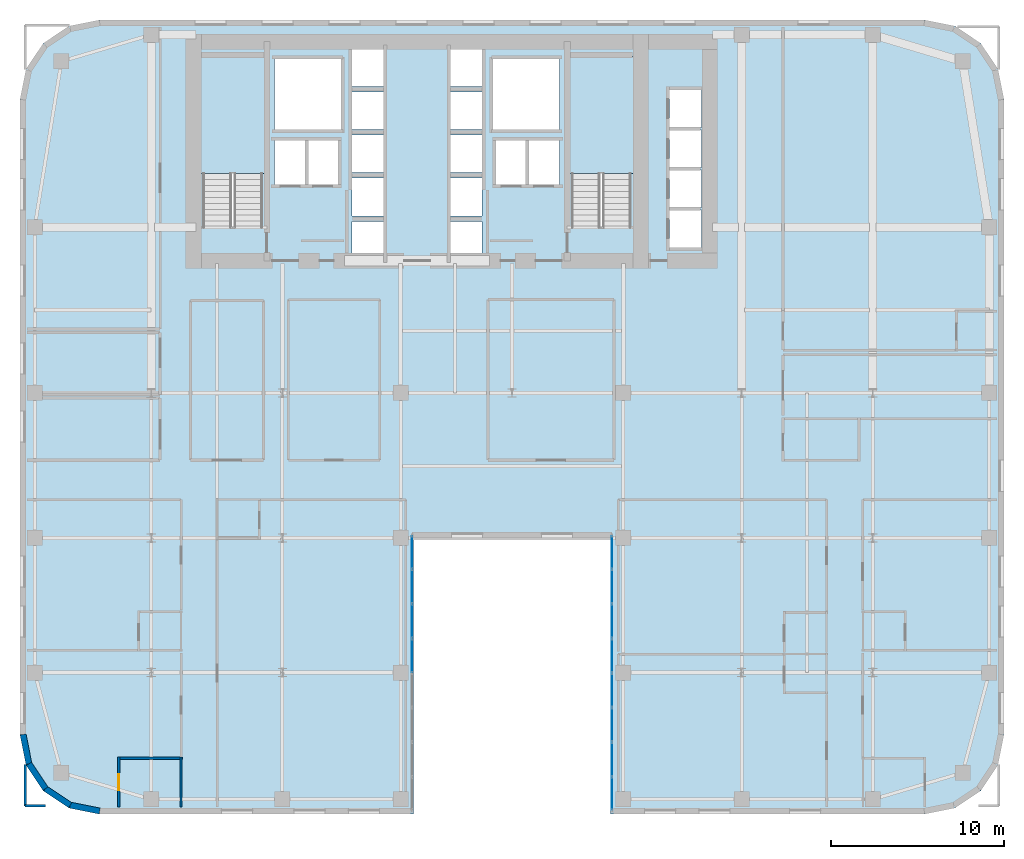
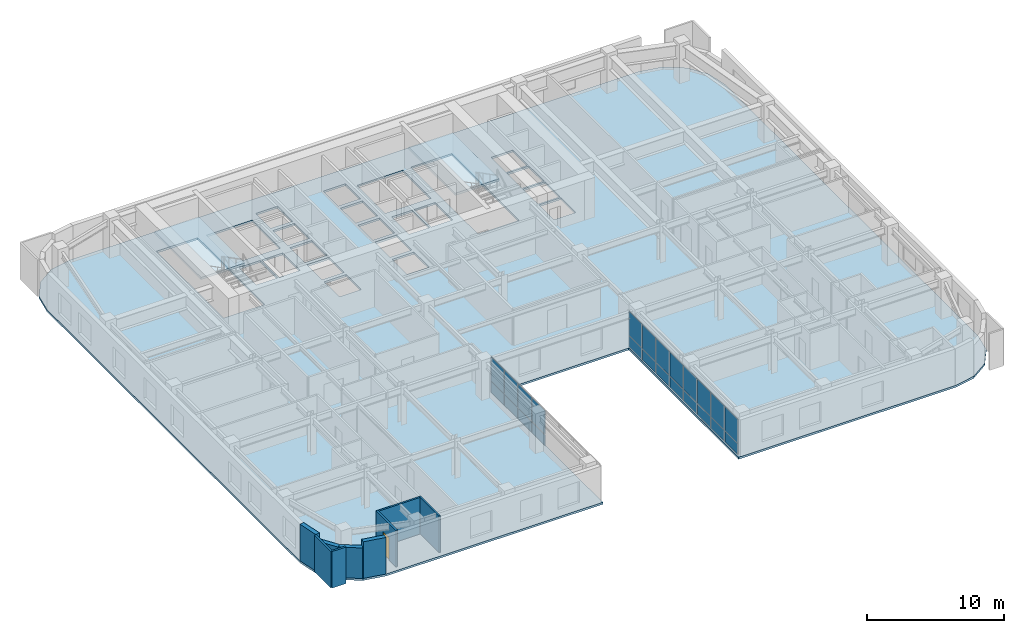
# One storey, part 9 of 16: 24 plates, 9 walls, 3 slabs, 1 door, 1 opening, 4 elements without a shape of their own.
"""IFC4 building model written with IfcOpenShell, lengths in metres."""

from ifc_helpers import new_model, si_unit, direction, frame, frame_2d, origin, origin_2d, place, context, subcontext, project, spatial, polyline, rectangle, outline, extrude, source, transform, mapped, material, layer, layer_set, type_object, type_shapes, element, fill, aggregate, save


model = new_model("IFC4")

# Units and contexts
model_context = context("Model", 3, precision=1e-05, world=origin(), true_north=direction((0.0, 1.0)))
body_context = subcontext(model_context, "Body", "Model", "MODEL_VIEW")
ifc_project = project(units=[si_unit("LENGTHUNIT", "METRE"), si_unit("AREAUNIT", "SQUARE_METRE"), si_unit("VOLUMEUNIT", "CUBIC_METRE"), si_unit("PLANEANGLEUNIT", "RADIAN"), si_unit("MASSUNIT", "GRAM", prefix="KILO")], contexts=[model_context])

# Site, building, storey
site_placement = place(None, origin())
site = spatial("IfcSite", under=ifc_project, at=site_placement, CompositionType="ELEMENT")
building_placement = place(site_placement, origin())
building = spatial("IfcBuilding", under=site, at=building_placement, Name="Tolvann Quenvar Hotel", CompositionType="ELEMENT")
storey_placement = place(building_placement, frame((0.0, 0.0, 92.35009765625)))
storey = spatial("IfcBuildingStorey", under=building, at=storey_placement, Name="L23", CompositionType="ELEMENT", Elevation=92.35009765625)

# Stair, slab
ifc_material_1 = material(Name="Concrete N40 (40 MPa)", Category="concrete")
stair_type = type_object("IfcStairType", Name="STAIR", PredefinedType="HALF_TURN_STAIR", material=ifc_material_1)
stair_1_placement = place(storey_placement, origin())
stair_1 = element("IfcStair", 1, at=stair_1_placement, inside=storey, type_object=stair_type, Name="L23 ST-C1", PredefinedType="HALF_TURN_STAIR")
ifc_layer_1 = layer(ifc_material_1, 0.199951171875)
ifc_layer_set_1 = layer_set([ifc_layer_1], Name="Concrete N40 (40 MPa)")
slab_type_1 = type_object("IfcSlabType", Name="SLAB_LANDING", PredefinedType="LANDING", material=ifc_layer_set_1)
slab_1_placement = place(storey_placement, frame((0.0, 0.0, 1.574951171875)))
slab_1 = element("IfcSlab", 2, at=slab_1_placement, type_object=slab_type_1, Name="ST-C1 landing 1", PredefinedType="LANDING", context=body_context, shape_type="SweptSolid", body=[
    extrude(outline(polyline([(14.179931640625, 37.10498046875), (14.179931640625, 43.8798828125), (10.469970703125, 43.8798828125), (10.469970703125, 37.10498046875), (14.179931640625, 37.10498046875)])), origin(), (0.0, 0.0, 1.0), 0.199951171875),
])
aggregate(stair_1, [slab_1])

stair_2_placement = place(storey_placement, origin())
stair_2 = element("IfcStair", 3, at=stair_2_placement, inside=storey, type_object=stair_type, Name="L23 ST-C2", PredefinedType="HALF_TURN_STAIR")
slab_2_placement = place(storey_placement, frame((0.0, 0.0, 1.574951171875)))
slab_2 = element("IfcSlab", 4, at=slab_2_placement, type_object=slab_type_1, Name="ST-C2 landing 1", PredefinedType="LANDING", context=body_context, shape_type="SweptSolid", body=[
    extrude(outline(polyline([(35.530029296875, 37.10498046875), (35.530029296875, 43.8798828125), (31.820068359375, 43.8798828125), (31.820068359375, 37.10498046875), (35.530029296875, 37.10498046875)])), origin(), (0.0, 0.0, 1.0), 0.199951171875),
])
aggregate(stair_2, [slab_2])

# Slab
ifc_layer_2 = layer(ifc_material_1, 0.179931640625)
ifc_layer_set_2 = layer_set([ifc_layer_2], Name="Concrete N40 (40 MPa)")
slab_type_2 = type_object("IfcSlabType", Name="SLAB_TWR_180", PredefinedType="FLOOR", material=ifc_layer_set_2)
slab_3_placement = place(storey_placement, frame((0.0, 0.0, -0.18017578125)))
element("IfcSlab", 5, at=slab_3_placement, inside=storey, type_object=slab_type_2, Name="Level L23 Structural Floor Slab", PredefinedType="FLOOR", context=body_context, shape_type="SweptSolid", body=[
    extrude(outline(polyline([(0.0, 4.60009765625), (0.35009765625, 2.839599609375), (1.347412109375, 1.347412109375), (2.839599609375, 0.35009765625), (4.60009765625, 0.0), (22.800048828125, 0.0), (22.800048828125, 16.0), (34.199951171875, 16.0), (34.199951171875, 0.0), (52.39990234375, 0.0), (54.160400390625, 0.35009765625), (55.652587890625, 1.347412109375), (56.64990234375, 2.839599609375), (57.0, 4.60009765625), (57.0, 41.39990234375), (56.64990234375, 43.160400390625), (55.652587890625, 44.652587890625), (54.160400390625, 45.64990234375), (52.39990234375, 46.0), (4.60009765625, 46.0), (2.839599609375, 45.64990234375), (1.347412109375, 44.652587890625), (0.35009765625, 43.160400390625), (0.0, 41.39990234375), (0.0, 4.60009765625)]), holes=[polyline([(37.6298828125, 41.949951171875), (39.469970703125, 41.949951171875), (39.469970703125, 39.77001953125), (37.6298828125, 39.77001953125), (37.6298828125, 41.949951171875)]), polyline([(37.6298828125, 39.6298828125), (39.469970703125, 39.6298828125), (39.469970703125, 37.449951171875), (37.6298828125, 37.449951171875), (37.6298828125, 39.6298828125)]), polyline([(37.6298828125, 37.31005859375), (39.469970703125, 37.31005859375), (39.469970703125, 35.1298828125), (37.6298828125, 35.1298828125), (37.6298828125, 37.31005859375)]), polyline([(37.6298828125, 34.989990234375), (39.469970703125, 34.989990234375), (39.469970703125, 32.81005859375), (37.6298828125, 32.81005859375), (37.6298828125, 34.989990234375)]), polyline([(31.949951171875, 43.800048828125), (35.39990234375, 43.800048828125), (35.39990234375, 34.02490234375), (31.949951171875, 34.02490234375), (31.949951171875, 43.800048828125)]), polyline([(31.25, 39.02001953125), (31.25, 36.47998046875), (29.449951171875, 36.47998046875), (29.449951171875, 39.02001953125), (31.25, 39.02001953125)]), polyline([(31.25, 43.75), (31.25, 39.64990234375), (27.39990234375, 39.64990234375), (27.39990234375, 43.75), (31.25, 43.75)]), polyline([(27.574951171875, 39.02001953125), (29.324951171875, 39.02001953125), (29.324951171875, 36.47998046875), (27.574951171875, 36.47998046875), (27.574951171875, 39.02001953125)]), polyline([(26.77001953125, 36.840087890625), (26.77001953125, 34.659912109375), (24.929931640625, 34.659912109375), (24.929931640625, 36.840087890625), (26.77001953125, 36.840087890625)]), polyline([(26.77001953125, 44.340087890625), (26.77001953125, 42.159912109375), (24.929931640625, 42.159912109375), (24.929931640625, 44.340087890625), (26.77001953125, 44.340087890625)]), polyline([(26.77001953125, 41.840087890625), (26.77001953125, 39.659912109375), (24.929931640625, 39.659912109375), (24.929931640625, 41.840087890625), (26.77001953125, 41.840087890625)]), polyline([(26.77001953125, 39.340087890625), (26.77001953125, 37.159912109375), (24.929931640625, 37.159912109375), (24.929931640625, 39.340087890625), (26.77001953125, 39.340087890625)]), polyline([(24.929931640625, 34.340087890625), (26.77001953125, 34.340087890625), (26.77001953125, 32.159912109375), (24.929931640625, 32.159912109375), (24.929931640625, 34.340087890625)]), polyline([(21.070068359375, 44.340087890625), (21.070068359375, 42.159912109375), (19.22998046875, 42.159912109375), (19.22998046875, 44.340087890625), (21.070068359375, 44.340087890625)]), polyline([(19.22998046875, 41.840087890625), (21.070068359375, 41.840087890625), (21.070068359375, 39.659912109375), (19.22998046875, 39.659912109375), (19.22998046875, 41.840087890625)]), polyline([(21.070068359375, 39.340087890625), (21.070068359375, 37.159912109375), (19.22998046875, 37.159912109375), (19.22998046875, 39.340087890625), (21.070068359375, 39.340087890625)]), polyline([(19.22998046875, 36.840087890625), (21.070068359375, 36.840087890625), (21.070068359375, 34.659912109375), (19.22998046875, 34.659912109375), (19.22998046875, 36.840087890625)]), polyline([(19.22998046875, 34.340087890625), (21.070068359375, 34.340087890625), (21.070068359375, 32.159912109375), (19.22998046875, 32.159912109375), (19.22998046875, 34.340087890625)]), polyline([(18.60009765625, 43.75), (18.60009765625, 39.64990234375), (14.75, 39.64990234375), (14.75, 43.75), (18.60009765625, 43.75)]), polyline([(16.675048828125, 39.02001953125), (18.425048828125, 39.02001953125), (18.425048828125, 36.47998046875), (16.675048828125, 36.47998046875), (16.675048828125, 39.02001953125)]), polyline([(16.550048828125, 39.02001953125), (16.550048828125, 36.47998046875), (14.75, 36.47998046875), (14.75, 39.02001953125), (16.550048828125, 39.02001953125)]), polyline([(10.60009765625, 43.800048828125), (14.050048828125, 43.800048828125), (14.050048828125, 34.02490234375), (10.60009765625, 34.02490234375), (10.60009765625, 43.800048828125)])]), origin(), (0.0, 0.0, 1.0), 0.18017578125),
])

# Curtain wall, plate
ifc_material_2 = material(Name="Thermally broken anodised architectural aluminium 6063-T6 and laminated low-E glass", Category="aluminium")
ifc_layer_3 = layer(ifc_material_2, 0.179931640625)
ifc_layer_set_3 = layer_set([ifc_layer_3], Name="Thermally broken anodised architectural aluminium 6063-T6 and laminated low-E glass")
curtain_wall_type = type_object("IfcCurtainWallType", Name="CW_SYS_SLOT_03", PredefinedType="USERDEFINED", material=ifc_layer_set_3)
curtain_wall_1_placement = place(storey_placement, origin())
curtain_wall_1 = element("IfcCurtainWall", 6, at=curtain_wall_1_placement, inside=storey, type_object=curtain_wall_type, Name="Curtain Wall CW-SLOT-03 (CWR-L23-E05)", ObjectType="UNITISED CURTAIN WALL", PredefinedType="USERDEFINED")
ifc_material_3 = material(Name="Low-iron laminated double glazing with solar-control coating", Category="glass")
ifc_layer_4 = layer(ifc_material_3, 0.028076171875)
ifc_layer_set_4 = layer_set([ifc_layer_4], Name="Low-iron laminated double glazing with solar-control coating")
plate_type = type_object("IfcPlateType", Name="CW_PAN_VISION_28", PredefinedType="CURTAIN_PANEL", material=ifc_layer_set_4)
shared_shape_1 = source(origin(), body_context, "Body", "SweptSolid", [
    extrude(rectangle(XDim=1.89501953125, YDim=0.028076171875, at=origin_2d()), origin(), (0.0, 0.0, 1.0), 0.949951171875),
])
plate_1_placement = place(storey_placement, frame((22.7099609375, 15.157470703125, 0.06005859375), z_axis=(0.0, 0.0, 1.0), x_axis=(0.0, 1.0, 0.0)))
plate_1 = element("IfcPlate", 7, at=plate_1_placement, type_object=plate_type, Name="CW-SLOT-03 panel 8.1", PredefinedType="CURTAIN_PANEL", context=body_context, shape_type="MappedRepresentation", body=[
    mapped(shared_shape_1, transform((0.0, 0.0, 0.0), x_axis=(1.0, 0.0, 0.0), y_axis=(0.0, 1.0, 0.0), z_axis=(0.0, 0.0, 1.0), scale=1.0)),
])

# Curtain wall, plates
curtain_wall_2_placement = place(storey_placement, origin())
curtain_wall_2 = element("IfcCurtainWall", 8, at=curtain_wall_2_placement, inside=storey, type_object=curtain_wall_type, Name="Curtain Wall CW-SLOT-03 (CWR-L23-E07)", ObjectType="UNITISED CURTAIN WALL", PredefinedType="USERDEFINED")
plate_2_placement = place(storey_placement, frame((34.2900390625, 15.157470703125, 0.06005859375), z_axis=(0.0, 0.0, 1.0), x_axis=(0.0, -1.0, 0.0)))
plate_2 = element("IfcPlate", 9, at=plate_2_placement, type_object=plate_type, Name="CW-SLOT-03 panel 1.1", PredefinedType="CURTAIN_PANEL", context=body_context, shape_type="MappedRepresentation", body=[
    mapped(shared_shape_1, transform((0.0, 0.0, 0.0), x_axis=(1.0, 0.0, 0.0), y_axis=(0.0, 1.0, 0.0), z_axis=(0.0, 0.0, 1.0), scale=1.0)),
])
plate_3_placement = place(storey_placement, frame((34.2900390625, 1.1923828125, 0.06005859375), z_axis=(0.0, 0.0, 1.0), x_axis=(0.0, -1.0, 0.0)))
plate_3 = element("IfcPlate", 10, at=plate_3_placement, type_object=plate_type, Name="CW-SLOT-03 panel 8.1", PredefinedType="CURTAIN_PANEL", context=body_context, shape_type="MappedRepresentation", body=[
    mapped(shared_shape_1, transform((0.0, 0.0, 0.0), x_axis=(1.0, 0.0, 0.0), y_axis=(0.0, 1.0, 0.0), z_axis=(0.0, 0.0, 1.0), scale=1.0)),
])

# Plate
shared_shape_2 = source(origin(), body_context, "Body", "SweptSolid", [
    extrude(rectangle(XDim=1.89501953125, YDim=0.028076171875, at=origin_2d()), origin(), (0.0, 0.0, 1.0), 2.1201171875),
])
plate_4_placement = place(storey_placement, frame((22.7099609375, 15.157470703125, 1.06982421875), z_axis=(0.0, 0.0, 1.0), x_axis=(0.0, 1.0, 0.0)))
plate_4 = element("IfcPlate", 11, at=plate_4_placement, type_object=plate_type, Name="CW-SLOT-03 panel 8.2", PredefinedType="CURTAIN_PANEL", context=body_context, shape_type="MappedRepresentation", body=[
    mapped(shared_shape_2, transform((0.0, 0.0, 0.0), x_axis=(1.0, 0.0, 0.0), y_axis=(0.0, 1.0, 0.0), z_axis=(0.0, 0.0, 1.0), scale=1.0)),
])

plate_5_placement = place(storey_placement, frame((34.2900390625, 15.157470703125, 1.06982421875), z_axis=(0.0, 0.0, 1.0), x_axis=(0.0, -1.0, 0.0)))
plate_5 = element("IfcPlate", 12, at=plate_5_placement, type_object=plate_type, Name="CW-SLOT-03 panel 1.2", PredefinedType="CURTAIN_PANEL", context=body_context, shape_type="MappedRepresentation", body=[
    mapped(shared_shape_2, transform((0.0, 0.0, 0.0), x_axis=(1.0, 0.0, 0.0), y_axis=(0.0, 1.0, 0.0), z_axis=(0.0, 0.0, 1.0), scale=1.0)),
])

plate_6_placement = place(storey_placement, frame((34.2900390625, 1.1923828125, 1.06982421875), z_axis=(0.0, 0.0, 1.0), x_axis=(0.0, -1.0, 0.0)))
plate_6 = element("IfcPlate", 13, at=plate_6_placement, type_object=plate_type, Name="CW-SLOT-03 panel 8.2", PredefinedType="CURTAIN_PANEL", context=body_context, shape_type="MappedRepresentation", body=[
    mapped(shared_shape_2, transform((0.0, 0.0, 0.0), x_axis=(1.0, 0.0, 0.0), y_axis=(0.0, 1.0, 0.0), z_axis=(0.0, 0.0, 1.0), scale=1.0)),
])

shared_shape_3 = source(origin(), body_context, "Body", "SweptSolid", [
    extrude(rectangle(XDim=1.929931640625, YDim=0.028076171875, at=origin_2d()), origin(), (0.0, 0.0, 1.0), 0.949951171875),
])
plate_7_placement = place(storey_placement, frame((22.7099609375, 9.175048828125, 0.06005859375), z_axis=(0.0, 0.0, 1.0), x_axis=(0.0, 1.0, 0.0)))
plate_7 = element("IfcPlate", 14, at=plate_7_placement, type_object=plate_type, Name="CW-SLOT-03 panel 5.1", PredefinedType="CURTAIN_PANEL", context=body_context, shape_type="MappedRepresentation", body=[
    mapped(shared_shape_3, transform((0.0, 0.0, 0.0), x_axis=(1.0, 0.0, 0.0), y_axis=(0.0, 1.0, 0.0), z_axis=(0.0, 0.0, 1.0), scale=1.0)),
])

plate_8_placement = place(storey_placement, frame((22.7099609375, 11.175048828125, 0.06005859375), z_axis=(0.0, 0.0, 1.0), x_axis=(0.0, 1.0, 0.0)))
plate_8 = element("IfcPlate", 15, at=plate_8_placement, type_object=plate_type, Name="CW-SLOT-03 panel 6.1", PredefinedType="CURTAIN_PANEL", context=body_context, shape_type="MappedRepresentation", body=[
    mapped(shared_shape_3, transform((0.0, 0.0, 0.0), x_axis=(1.0, 0.0, 0.0), y_axis=(0.0, 1.0, 0.0), z_axis=(0.0, 0.0, 1.0), scale=1.0)),
])

plate_9_placement = place(storey_placement, frame((22.7099609375, 13.175048828125, 0.06005859375), z_axis=(0.0, 0.0, 1.0), x_axis=(0.0, 1.0, 0.0)))
plate_9 = element("IfcPlate", 16, at=plate_9_placement, type_object=plate_type, Name="CW-SLOT-03 panel 7.1", PredefinedType="CURTAIN_PANEL", context=body_context, shape_type="MappedRepresentation", body=[
    mapped(shared_shape_3, transform((0.0, 0.0, 0.0), x_axis=(1.0, 0.0, 0.0), y_axis=(0.0, 1.0, 0.0), z_axis=(0.0, 0.0, 1.0), scale=1.0)),
])

plate_10_placement = place(storey_placement, frame((34.2900390625, 13.175048828125, 0.06005859375), z_axis=(0.0, 0.0, 1.0), x_axis=(0.0, -1.0, 0.0)))
plate_10 = element("IfcPlate", 17, at=plate_10_placement, type_object=plate_type, Name="CW-SLOT-03 panel 2.1", PredefinedType="CURTAIN_PANEL", context=body_context, shape_type="MappedRepresentation", body=[
    mapped(shared_shape_3, transform((0.0, 0.0, 0.0), x_axis=(1.0, 0.0, 0.0), y_axis=(0.0, 1.0, 0.0), z_axis=(0.0, 0.0, 1.0), scale=1.0)),
])

plate_11_placement = place(storey_placement, frame((34.2900390625, 11.175048828125, 0.06005859375), z_axis=(0.0, 0.0, 1.0), x_axis=(0.0, -1.0, 0.0)))
plate_11 = element("IfcPlate", 18, at=plate_11_placement, type_object=plate_type, Name="CW-SLOT-03 panel 3.1", PredefinedType="CURTAIN_PANEL", context=body_context, shape_type="MappedRepresentation", body=[
    mapped(shared_shape_3, transform((0.0, 0.0, 0.0), x_axis=(1.0, 0.0, 0.0), y_axis=(0.0, 1.0, 0.0), z_axis=(0.0, 0.0, 1.0), scale=1.0)),
])

plate_12_placement = place(storey_placement, frame((34.2900390625, 9.175048828125, 0.06005859375), z_axis=(0.0, 0.0, 1.0), x_axis=(0.0, -1.0, 0.0)))
plate_12 = element("IfcPlate", 19, at=plate_12_placement, type_object=plate_type, Name="CW-SLOT-03 panel 4.1", PredefinedType="CURTAIN_PANEL", context=body_context, shape_type="MappedRepresentation", body=[
    mapped(shared_shape_3, transform((0.0, 0.0, 0.0), x_axis=(1.0, 0.0, 0.0), y_axis=(0.0, 1.0, 0.0), z_axis=(0.0, 0.0, 1.0), scale=1.0)),
])

plate_13_placement = place(storey_placement, frame((34.2900390625, 7.175048828125, 0.06005859375), z_axis=(0.0, 0.0, 1.0), x_axis=(0.0, -1.0, 0.0)))
plate_13 = element("IfcPlate", 20, at=plate_13_placement, type_object=plate_type, Name="CW-SLOT-03 panel 5.1", PredefinedType="CURTAIN_PANEL", context=body_context, shape_type="MappedRepresentation", body=[
    mapped(shared_shape_3, transform((0.0, 0.0, 0.0), x_axis=(1.0, 0.0, 0.0), y_axis=(0.0, 1.0, 0.0), z_axis=(0.0, 0.0, 1.0), scale=1.0)),
])

plate_14_placement = place(storey_placement, frame((34.2900390625, 5.175048828125, 0.06005859375), z_axis=(0.0, 0.0, 1.0), x_axis=(0.0, -1.0, 0.0)))
plate_14 = element("IfcPlate", 21, at=plate_14_placement, type_object=plate_type, Name="CW-SLOT-03 panel 6.1", PredefinedType="CURTAIN_PANEL", context=body_context, shape_type="MappedRepresentation", body=[
    mapped(shared_shape_3, transform((0.0, 0.0, 0.0), x_axis=(1.0, 0.0, 0.0), y_axis=(0.0, 1.0, 0.0), z_axis=(0.0, 0.0, 1.0), scale=1.0)),
])

plate_15_placement = place(storey_placement, frame((34.2900390625, 3.175048828125, 0.06005859375), z_axis=(0.0, 0.0, 1.0), x_axis=(0.0, -1.0, 0.0)))
plate_15 = element("IfcPlate", 22, at=plate_15_placement, type_object=plate_type, Name="CW-SLOT-03 panel 7.1", PredefinedType="CURTAIN_PANEL", context=body_context, shape_type="MappedRepresentation", body=[
    mapped(shared_shape_3, transform((0.0, 0.0, 0.0), x_axis=(1.0, 0.0, 0.0), y_axis=(0.0, 1.0, 0.0), z_axis=(0.0, 0.0, 1.0), scale=1.0)),
])

shared_shape_4 = source(origin(), body_context, "Body", "SweptSolid", [
    extrude(rectangle(XDim=1.929931640625, YDim=0.028076171875, at=origin_2d()), origin(), (0.0, 0.0, 1.0), 2.1201171875),
])
type_shapes(plate_type, [shared_shape_1, shared_shape_2, shared_shape_3, shared_shape_4])
plate_16_placement = place(storey_placement, frame((22.7099609375, 9.175048828125, 1.06982421875), z_axis=(0.0, 0.0, 1.0), x_axis=(0.0, 1.0, 0.0)))
plate_16 = element("IfcPlate", 23, at=plate_16_placement, type_object=plate_type, Name="CW-SLOT-03 panel 5.2", PredefinedType="CURTAIN_PANEL", context=body_context, shape_type="MappedRepresentation", body=[
    mapped(shared_shape_4, transform((0.0, 0.0, 0.0), x_axis=(1.0, 0.0, 0.0), y_axis=(0.0, 1.0, 0.0), z_axis=(0.0, 0.0, 1.0), scale=1.0)),
])

plate_17_placement = place(storey_placement, frame((22.7099609375, 11.175048828125, 1.06982421875), z_axis=(0.0, 0.0, 1.0), x_axis=(0.0, 1.0, 0.0)))
plate_17 = element("IfcPlate", 24, at=plate_17_placement, type_object=plate_type, Name="CW-SLOT-03 panel 6.2", PredefinedType="CURTAIN_PANEL", context=body_context, shape_type="MappedRepresentation", body=[
    mapped(shared_shape_4, transform((0.0, 0.0, 0.0), x_axis=(1.0, 0.0, 0.0), y_axis=(0.0, 1.0, 0.0), z_axis=(0.0, 0.0, 1.0), scale=1.0)),
])

plate_18_placement = place(storey_placement, frame((22.7099609375, 13.175048828125, 1.06982421875), z_axis=(0.0, 0.0, 1.0), x_axis=(0.0, 1.0, 0.0)))
plate_18 = element("IfcPlate", 25, at=plate_18_placement, type_object=plate_type, Name="CW-SLOT-03 panel 7.2", PredefinedType="CURTAIN_PANEL", context=body_context, shape_type="MappedRepresentation", body=[
    mapped(shared_shape_4, transform((0.0, 0.0, 0.0), x_axis=(1.0, 0.0, 0.0), y_axis=(0.0, 1.0, 0.0), z_axis=(0.0, 0.0, 1.0), scale=1.0)),
])

aggregate(curtain_wall_1, [plate_7, plate_16, plate_8, plate_17, plate_9, plate_18, plate_1, plate_4])

plate_19_placement = place(storey_placement, frame((34.2900390625, 13.175048828125, 1.06982421875), z_axis=(0.0, 0.0, 1.0), x_axis=(0.0, -1.0, 0.0)))
plate_19 = element("IfcPlate", 26, at=plate_19_placement, type_object=plate_type, Name="CW-SLOT-03 panel 2.2", PredefinedType="CURTAIN_PANEL", context=body_context, shape_type="MappedRepresentation", body=[
    mapped(shared_shape_4, transform((0.0, 0.0, 0.0), x_axis=(1.0, 0.0, 0.0), y_axis=(0.0, 1.0, 0.0), z_axis=(0.0, 0.0, 1.0), scale=1.0)),
])

plate_20_placement = place(storey_placement, frame((34.2900390625, 11.175048828125, 1.06982421875), z_axis=(0.0, 0.0, 1.0), x_axis=(0.0, -1.0, 0.0)))
plate_20 = element("IfcPlate", 27, at=plate_20_placement, type_object=plate_type, Name="CW-SLOT-03 panel 3.2", PredefinedType="CURTAIN_PANEL", context=body_context, shape_type="MappedRepresentation", body=[
    mapped(shared_shape_4, transform((0.0, 0.0, 0.0), x_axis=(1.0, 0.0, 0.0), y_axis=(0.0, 1.0, 0.0), z_axis=(0.0, 0.0, 1.0), scale=1.0)),
])

plate_21_placement = place(storey_placement, frame((34.2900390625, 9.175048828125, 1.06982421875), z_axis=(0.0, 0.0, 1.0), x_axis=(0.0, -1.0, 0.0)))
plate_21 = element("IfcPlate", 28, at=plate_21_placement, type_object=plate_type, Name="CW-SLOT-03 panel 4.2", PredefinedType="CURTAIN_PANEL", context=body_context, shape_type="MappedRepresentation", body=[
    mapped(shared_shape_4, transform((0.0, 0.0, 0.0), x_axis=(1.0, 0.0, 0.0), y_axis=(0.0, 1.0, 0.0), z_axis=(0.0, 0.0, 1.0), scale=1.0)),
])

plate_22_placement = place(storey_placement, frame((34.2900390625, 7.175048828125, 1.06982421875), z_axis=(0.0, 0.0, 1.0), x_axis=(0.0, -1.0, 0.0)))
plate_22 = element("IfcPlate", 29, at=plate_22_placement, type_object=plate_type, Name="CW-SLOT-03 panel 5.2", PredefinedType="CURTAIN_PANEL", context=body_context, shape_type="MappedRepresentation", body=[
    mapped(shared_shape_4, transform((0.0, 0.0, 0.0), x_axis=(1.0, 0.0, 0.0), y_axis=(0.0, 1.0, 0.0), z_axis=(0.0, 0.0, 1.0), scale=1.0)),
])

plate_23_placement = place(storey_placement, frame((34.2900390625, 5.175048828125, 1.06982421875), z_axis=(0.0, 0.0, 1.0), x_axis=(0.0, -1.0, 0.0)))
plate_23 = element("IfcPlate", 30, at=plate_23_placement, type_object=plate_type, Name="CW-SLOT-03 panel 6.2", PredefinedType="CURTAIN_PANEL", context=body_context, shape_type="MappedRepresentation", body=[
    mapped(shared_shape_4, transform((0.0, 0.0, 0.0), x_axis=(1.0, 0.0, 0.0), y_axis=(0.0, 1.0, 0.0), z_axis=(0.0, 0.0, 1.0), scale=1.0)),
])

plate_24_placement = place(storey_placement, frame((34.2900390625, 3.175048828125, 1.06982421875), z_axis=(0.0, 0.0, 1.0), x_axis=(0.0, -1.0, 0.0)))
plate_24 = element("IfcPlate", 31, at=plate_24_placement, type_object=plate_type, Name="CW-SLOT-03 panel 7.2", PredefinedType="CURTAIN_PANEL", context=body_context, shape_type="MappedRepresentation", body=[
    mapped(shared_shape_4, transform((0.0, 0.0, 0.0), x_axis=(1.0, 0.0, 0.0), y_axis=(0.0, 1.0, 0.0), z_axis=(0.0, 0.0, 1.0), scale=1.0)),
])

aggregate(curtain_wall_2, [plate_2, plate_5, plate_10, plate_19, plate_11, plate_20, plate_12, plate_21, plate_13, plate_22, plate_14, plate_23, plate_15, plate_24, plate_3, plate_6])

# Walls
ifc_material_4 = material(Name="Kiln-fired red and buff architectural clay brickwork and terracotta masonry", Category="masonry")
ifc_layer_5 = layer(ifc_material_4, 0.35009765625)
ifc_layer_set_5 = layer_set([ifc_layer_5], Name="Kiln-fired red and buff architectural clay brickwork and terracotta masonry")
wall_type_1 = type_object("IfcWallType", Name="WALL_EXT_BRICK_350", PredefinedType="SOLIDWALL", material=ifc_layer_set_5)
for number, where, z_axis, x_axis, name in (
    (32, (0.514892578125, 2.907958984375, 0.0), (0.0, 0.0, 1.0), (0.55554893791, -0.831483840845, 0.0), "Exterior Chicago Brick Wall L23-E01"),
    (33, (1.473388671875, 1.473388671875, 0.0), (0.0, 0.0, 1.0), (0.831483840845, -0.55554893791, 0.0), "Exterior Chicago Brick Wall L23-E02"),
):
    element("IfcWall", number, at=place(storey_placement, frame(where, z_axis=z_axis, x_axis=x_axis)), inside=storey, type_object=wall_type_1, Name=name, PredefinedType="SOLIDWALL", context=body_context, shape_type="SweptSolid", body=[
        extrude(rectangle(XDim=1.725341796875, YDim=0.35009765625, at=frame_2d((0.86279296875, 0.0))), origin(), (0.0, 0.0, 1.0), 2.7119140625),
    ])
for number, where, z_axis, x_axis, name in (
    (34, (2.907958984375, 0.514892578125, 0.0), (0.0, 0.0, 1.0), (0.980800971659, -0.195011420161, 0.0), "Exterior Chicago Brick Wall L23-E03"),
    (35, (0.175048828125, 4.6171875, 0.0), (0.0, 0.0, 1.0), (0.195011420161, -0.980800971659, 0.0), "Exterior Chicago Brick Wall L23-E24"),
):
    element("IfcWall", number, at=place(storey_placement, frame(where, z_axis=z_axis, x_axis=x_axis)), inside=storey, type_object=wall_type_1, Name=name, PredefinedType="SOLIDWALL", context=body_context, shape_type="SweptSolid", body=[
        extrude(rectangle(XDim=1.74267578125, YDim=0.35009765625, at=frame_2d((0.871337890625, 0.0))), origin(), (0.0, 0.0, 1.0), 3.25),
    ])
ifc_material_5 = material(Name="Moisture-resistant acoustic plumbing wall assembly")
ifc_layer_6 = layer(ifc_material_5, 0.1201171875)
ifc_layer_set_6 = layer_set([ifc_layer_6], Name="Moisture-resistant acoustic plumbing wall assembly")
wall_type_2 = type_object("IfcWallType", Name="WALL_PART_BATH_120", PredefinedType="PLUMBINGWALL", material=ifc_layer_set_6)
wall_1_placement = place(storey_placement, frame((9.330078125, 0.405029296875, 0.0), z_axis=(0.0, 0.0, 1.0), x_axis=(0.0, 1.0, 0.0)))
element("IfcWall", 36, at=wall_1_placement, inside=storey, type_object=wall_type_2, Name="Non-Rated Plumbing Partition PT-SPC-L23-ENS-WO01-E", PredefinedType="PLUMBINGWALL", context=body_context, shape_type="SweptSolid", body=[
    extrude(rectangle(XDim=2.89501953125, YDim=0.1201171875, at=frame_2d((1.447509765625, 0.0))), origin(), (0.0, 0.0, 1.0), 3.25),
])

# Wall, opening, door
ifc_material_6 = material(Name="Acoustic twin-stud fire-rated gypsum plasterboard partition")
ifc_layer_7 = layer(ifc_material_6, 0.14990234375)
ifc_layer_set_7 = layer_set([ifc_layer_7], Name="Acoustic twin-stud fire-rated gypsum plasterboard partition")
wall_type_3 = type_object("IfcWallType", Name="WALL_PART_SUITE_150", PredefinedType="PARTITIONING", material=ifc_layer_set_7)
wall_2_placement = place(storey_placement, frame((5.72998046875, 0.405029296875, 0.0), z_axis=(0.0, 0.0, 1.0), x_axis=(0.0, 1.0, 0.0)))
wall_2 = element("IfcWall", 37, at=wall_2_placement, inside=storey, type_object=wall_type_3, Name="Interior Partition PT-SPC-L23-ENS-WO01-ENT", PredefinedType="PARTITIONING", context=body_context, shape_type="SweptSolid", body=[
    extrude(rectangle(XDim=2.89501953125, YDim=0.14990234375, at=frame_2d((1.447509765625, 0.0))), origin(), (0.0, 0.0, 1.0), 3.25),
])
opening_placement = place(wall_2_placement, frame((0.97998046875, 0.0, 0.0)))
opening = element("IfcOpeningElement", 38, at=opening_placement, cuts=wall_2, Name="Opening WD-01", PredefinedType="OPENING", context=body_context, shape_type="SweptSolid", body=[
    extrude(rectangle(XDim=0.919921875, YDim=2.010009765625, at=frame_2d((0.4599609375, 1.0048828125))), frame((0.0, 0.0849609375, 0.0), z_axis=(0.0, -1.0, 0.0), x_axis=(1.0, 0.0, 0.0)), (0.0, 0.0, 1.0), 0.169921875),
])
ifc_material_7 = material(Name="Solid-core American oak acoustic fire door leaf in steel frame", Category="steel")
door_type = type_object("IfcDoorType", Name="DOOR_WC_920", OperationType="NOTDEFINED", PredefinedType="DOOR", material=ifc_material_7)
shared_shape_5 = source(origin(), body_context, "Body", "SweptSolid", [
    extrude(rectangle(XDim=0.919921875, YDim=2.010009765625, at=frame_2d((0.4599609375, 1.0048828125))), frame((0.0, 0.02490234375, 0.0), z_axis=(0.0, -1.0, 0.0), x_axis=(1.0, 0.0, 0.0)), (0.0, 0.0, 1.0), 0.050048828125),
])
type_shapes(door_type, [shared_shape_5])
door_placement = place(opening_placement, origin())
door = element("IfcDoor", 39, at=door_placement, inside=storey, type_object=door_type, Name="Interior Door DOOR-SPC-L23-ENS-WO01", OperationType="SINGLE_SWING_RIGHT", OverallHeight=2.010009765625, OverallWidth=0.919921875, PredefinedType="DOOR", context=body_context, shape_type="MappedRepresentation", body=[
    mapped(shared_shape_5, transform((0.0, 0.0, 0.0), x_axis=(1.0, 0.0, 0.0), y_axis=(0.0, 1.0, 0.0), z_axis=(0.0, 0.0, 1.0), scale=1.0)),
])
fill(opening, door)

# Walls
wall_3_placement = place(storey_placement, frame((5.659912109375, 3.22998046875, 0.0), z_axis=(0.0, 0.0, 1.0), x_axis=(1.0, 0.0, 0.0)))
element("IfcWall", 40, at=wall_3_placement, inside=storey, type_object=wall_type_3, Name="Interior Partition PT-SPC-L23-ENS-WO01-N", PredefinedType="PARTITIONING", context=body_context, shape_type="SweptSolid", body=[
    extrude(rectangle(XDim=3.739990234375, YDim=0.14990234375, at=frame_2d((1.8701171875, 0.0))), origin(), (0.0, 0.0, 1.0), 3.25),
])
wall_4_placement = place(storey_placement, frame((0.300048828125, 0.47998046875, 0.0), z_axis=(0.0, 0.0, 1.0), x_axis=(1.0, 0.0, 0.0)))
element("IfcWall", 41, at=wall_4_placement, inside=storey, type_object=wall_type_3, Name="Interior Partition PT-SPC-L23-RM-WO01-E1", PredefinedType="PARTITIONING", context=body_context, shape_type="SweptSolid", body=[
    extrude(rectangle(XDim=1.174072265625, YDim=0.14990234375, at=frame_2d((0.5869140625, 0.0))), origin(), (0.0, 0.0, 1.0), 3.25),
])
wall_5_placement = place(storey_placement, frame((0.300048828125, 0.47998046875, 0.0), z_axis=(0.0, 0.0, 1.0), x_axis=(0.0, 1.0, 0.0)))
element("IfcWall", 42, at=wall_5_placement, inside=storey, type_object=wall_type_3, Name="Interior Partition PT-SPC-L23-RM-WO01-E6", PredefinedType="PARTITIONING", context=body_context, shape_type="SweptSolid", body=[
    extrude(rectangle(XDim=2.385009765625, YDim=0.14990234375, at=frame_2d((1.1923828125, 0.0))), origin(), (0.0, 0.0, 1.0), 3.25),
])

save(model, "model.ifc")
